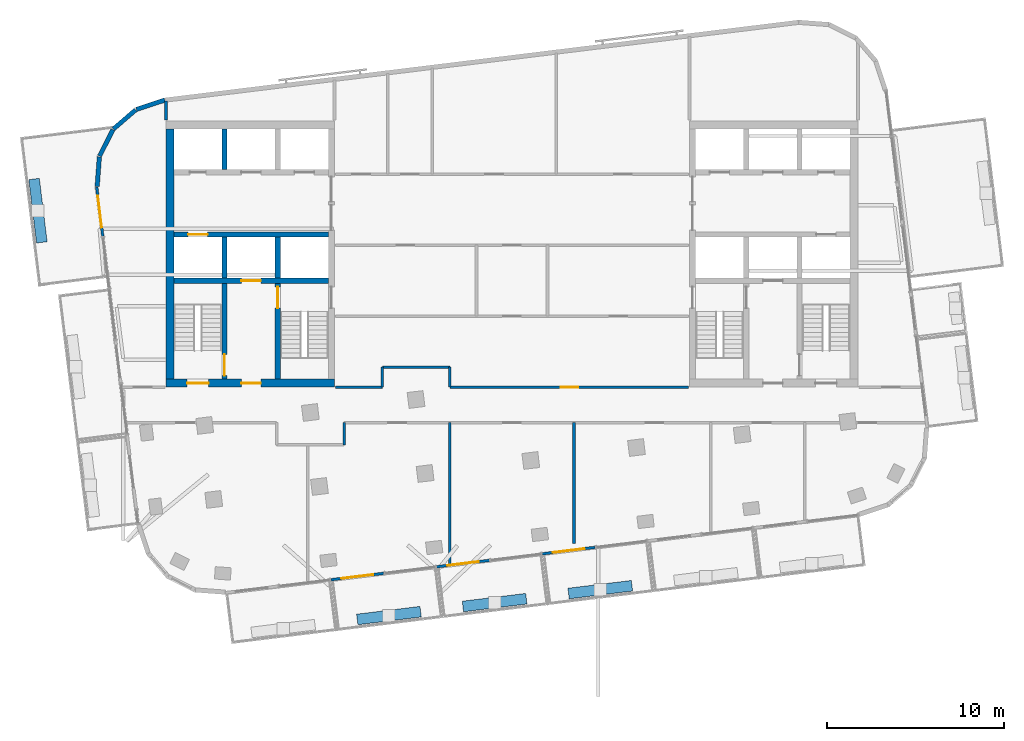
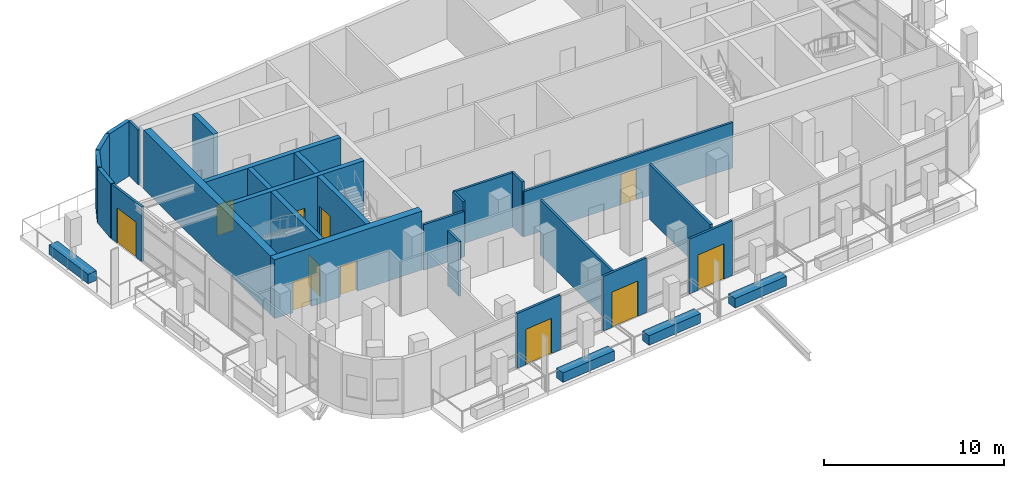
# One storey, part 6 of 13: 30 walls, 11 doors, 11 openings.
"""IFC4 building model written with IfcOpenShell, lengths in metres."""

from ifc_helpers import new_model, si_unit, direction, frame, frame_2d, origin, place, context, subcontext, project, spatial, rectangle, extrude, material, layer, layer_set, type_object, element, fill, save


model = new_model("IFC4")

# Units and contexts
model_context = context("Model", 3, precision=1e-05, world=origin(), true_north=direction((0.0, 1.0)))
body_context = subcontext(model_context, "Body", "Model", "MODEL_VIEW")
ifc_project = project(units=[si_unit("LENGTHUNIT", "METRE"), si_unit("AREAUNIT", "SQUARE_METRE"), si_unit("VOLUMEUNIT", "CUBIC_METRE"), si_unit("PLANEANGLEUNIT", "RADIAN"), si_unit("MASSUNIT", "GRAM", prefix="KILO")], contexts=[model_context])

# Site, building, storey
site_placement = place(None, origin())
site = spatial("IfcSite", under=ifc_project, at=site_placement, CompositionType="ELEMENT")
building_placement = place(site_placement, origin())
building = spatial("IfcBuilding", under=site, at=building_placement, Name="Torana Hotel and Residences", CompositionType="ELEMENT")
storey_placement = place(building_placement, frame((0.0, 0.0, 314.60009765625)))
storey = spatial("IfcBuildingStorey", under=building, at=storey_placement, Name="L83", CompositionType="ELEMENT", Elevation=314.60009765625)

# Wall, opening, door
ifc_material_1 = material(Name="Concrete C60/75", Category="concrete")
ifc_layer_1 = layer(ifc_material_1, 0.300048828125)
ifc_layer_set_1 = layer_set([ifc_layer_1], Name="CORE WALL 300 C60/75")
wall_type_1 = type_object("IfcWallType", Name="CORE WALL 300 C60/75", PredefinedType="SHEAR", material=ifc_layer_set_1)
wall_1_placement = place(storey_placement, frame((-19.050048828125, -6.39990234375, 0.0), z_axis=(0.0, 0.0, 1.0), x_axis=(1.0, 0.0, 0.0)))
wall_1 = element("IfcWall", 1, at=wall_1_placement, inside=storey, type_object=wall_type_1, Name="Core wall W row-S", PredefinedType="SHEAR", context=body_context, shape_type="SweptSolid", body=[
    extrude(rectangle(XDim=8.699951171875, YDim=0.300048828125, at=frame_2d((4.35009765625, 0.0))), origin(), (0.0, 0.0, 1.0), 4.0),
])
opening_1_placement = place(wall_1_placement, frame((0.800048828125, 0.0, 0.0)))
opening_1 = element("IfcOpeningElement", 2, at=opening_1_placement, cuts=wall_1, Name="Opening LD", PredefinedType="OPENING", context=body_context, shape_type="SweptSolid", body=[
    extrude(rectangle(XDim=1.10009765625, YDim=2.10009765625, at=frame_2d((0.550048828125, 1.050048828125))), frame((0.0, 0.159912109375, 0.0), z_axis=(0.0, -1.0, 0.0), x_axis=(1.0, 0.0, 0.0)), (0.0, 0.0, 1.0), 0.320068359375),
])
ifc_material_2 = material(Name="Stainless steel 316", Category="steel")
door_type_1 = type_object("IfcDoorType", Name="LIFT LANDING DOOR LD 1100x2100", OperationType="DOUBLE_DOOR_SLIDING", PredefinedType="USERDEFINED", material=ifc_material_2)
door_1_placement = place(opening_1_placement, origin())
door_1 = element("IfcDoor", 3, at=door_1_placement, inside=storey, type_object=door_type_1, Name="Lift landing door SV1 L83", ObjectType="LIFT LANDING DOOR", OperationType="DOUBLE_DOOR_SLIDING", OverallHeight=2.10009765625, OverallWidth=1.10009765625, PredefinedType="USERDEFINED", context=body_context, shape_type="SweptSolid", body=[
    extrude(rectangle(XDim=1.10009765625, YDim=2.10009765625, at=frame_2d((0.550048828125, 1.050048828125))), frame((0.0, 0.02490234375, 0.0), z_axis=(0.0, -1.0, 0.0), x_axis=(1.0, 0.0, 0.0)), (0.0, 0.0, 1.0), 0.050048828125),
])
fill(opening_1, door_1)

wall_2_placement = place(storey_placement, frame((-19.050048828125, -9.0, 0.0), z_axis=(0.0, 0.0, 1.0), x_axis=(1.0, 0.0, 0.0)))
wall_2 = element("IfcWall", 4, at=wall_2_placement, inside=storey, type_object=wall_type_1, Name="Core wall W band", PredefinedType="SHEAR", context=body_context, shape_type="SweptSolid", body=[
    extrude(rectangle(XDim=8.699951171875, YDim=0.300048828125, at=frame_2d((4.35009765625, 0.0))), origin(), (0.0, 0.0, 1.0), 4.0),
])
opening_2_placement = place(wall_2_placement, frame((3.800048828125, 0.0, 0.0)))
opening_2 = element("IfcOpeningElement", 5, at=opening_2_placement, cuts=wall_2, Name="Opening LD", PredefinedType="OPENING", context=body_context, shape_type="SweptSolid", body=[
    extrude(rectangle(XDim=1.10009765625, YDim=2.10009765625, at=frame_2d((0.550048828125, 1.050048828125))), frame((0.0, 0.159912109375, 0.0), z_axis=(0.0, -1.0, 0.0), x_axis=(1.0, 0.0, 0.0)), (0.0, 0.0, 1.0), 0.320068359375),
])
door_2_placement = place(opening_2_placement, origin())
door_2 = element("IfcDoor", 6, at=door_2_placement, inside=storey, type_object=door_type_1, Name="Lift landing door FF1 L83", ObjectType="LIFT LANDING DOOR", OperationType="DOUBLE_DOOR_SLIDING", OverallHeight=2.10009765625, OverallWidth=1.10009765625, PredefinedType="USERDEFINED", context=body_context, shape_type="SweptSolid", body=[
    extrude(rectangle(XDim=1.10009765625, YDim=2.10009765625, at=frame_2d((0.550048828125, 1.050048828125))), frame((0.0, 0.02490234375, 0.0), z_axis=(0.0, -1.0, 0.0), x_axis=(1.0, 0.0, 0.0)), (0.0, 0.0, 1.0), 0.050048828125),
])
fill(opening_2, door_2)

# Wall
wall_3_placement = place(storey_placement, frame((-13.199951171875, -8.85009765625, 0.0), z_axis=(0.0, 0.0, 1.0), x_axis=(0.0, 1.0, 0.0)))
element("IfcWall", 7, at=wall_3_placement, inside=storey, type_object=wall_type_1, Name="Core wall W x3.05-S", PredefinedType="SHEAR", context=body_context, shape_type="SweptSolid", body=[
    extrude(rectangle(XDim=2.300048828125, YDim=0.300048828125, at=frame_2d((1.14990234375, 0.0))), origin(), (0.0, 0.0, 1.0), 4.0),
])

# Wall, opening, door
wall_4_placement = place(storey_placement, frame((-13.199951171875, -14.550048828125, 0.0), z_axis=(0.0, 0.0, 1.0), x_axis=(0.0, 1.0, 0.0)))
wall_4 = element("IfcWall", 8, at=wall_4_placement, inside=storey, type_object=wall_type_1, Name="Core wall W x3.05-band", PredefinedType="SHEAR", context=body_context, shape_type="SweptSolid", body=[
    extrude(rectangle(XDim=5.400146484375, YDim=0.300048828125, at=frame_2d((2.7001953125, 0.0))), origin(), (0.0, 0.0, 1.0), 4.0),
])
opening_3_placement = place(wall_4_placement, frame((4.0, 0.0, 0.0)))
opening_3 = element("IfcOpeningElement", 9, at=opening_3_placement, cuts=wall_4, Name="Opening L83-07", PredefinedType="OPENING", context=body_context, shape_type="SweptSolid", body=[
    extrude(rectangle(XDim=1.199951171875, YDim=2.10009765625, at=frame_2d((0.60009765625, 1.050048828125))), frame((0.0, 0.159912109375, 0.0), z_axis=(0.0, -1.0, 0.0), x_axis=(1.0, 0.0, 0.0)), (0.0, 0.0, 1.0), 0.320068359375),
])
ifc_material_3 = material(Name="Steel S235", Category="steel")
door_type_2 = type_object("IfcDoorType", Name="STAIR FIRE DOOR D3 1200x2100", OperationType="SINGLE_SWING_LEFT", PredefinedType="DOOR", material=ifc_material_3)
door_3_placement = place(opening_3_placement, frame((0.60009765625, 0.0, 0.0), z_axis=(0.0, 0.0, 1.0), x_axis=(-1.0, 0.0, 0.0)))
door_3 = element("IfcDoor", 10, at=door_3_placement, inside=storey, type_object=door_type_2, Name="Stair-A-lobby door L83", OperationType="SINGLE_SWING_RIGHT", OverallHeight=2.10009765625, OverallWidth=1.199951171875, PredefinedType="DOOR", context=body_context, shape_type="SweptSolid", body=[
    extrude(rectangle(XDim=1.199951171875, YDim=2.10009765625, at=frame_2d((0.0, 1.050048828125))), frame((0.0, -0.02490234375, 0.0), z_axis=(0.0, 1.0, 0.0), x_axis=(-1.0, 0.0, 0.0)), (0.0, 0.0, 1.0), 0.050048828125),
])
fill(opening_3, door_3)

# Walls
for number, where, z_axis, x_axis, name in (
    (11, (-16.199951171875, -2.75, 0.0), (0.0, 0.0, 1.0), (0.0, 1.0, 0.0), "Core wall W x6.05-N"),
    (12, (-16.199951171875, -8.85009765625, 0.0), (0.0, 0.0, 1.0), (0.0, 1.0, 0.0), "Core wall W x6.05-S"),
):
    element("IfcWall", number, at=place(storey_placement, frame(where, z_axis=z_axis, x_axis=x_axis)), inside=storey, type_object=wall_type_1, Name=name, PredefinedType="SHEAR", context=body_context, shape_type="SweptSolid", body=[
        extrude(rectangle(XDim=2.300048828125, YDim=0.300048828125, at=frame_2d((1.14990234375, 0.0))), origin(), (0.0, 0.0, 1.0), 4.0),
    ])

# Wall, opening, door
wall_5_placement = place(storey_placement, frame((-16.199951171875, -14.550048828125, 0.0), z_axis=(0.0, 0.0, 1.0), x_axis=(0.0, 1.0, 0.0)))
wall_5 = element("IfcWall", 13, at=wall_5_placement, inside=storey, type_object=wall_type_1, Name="Core wall W x6.05-band", PredefinedType="SHEAR", context=body_context, shape_type="SweptSolid", body=[
    extrude(rectangle(XDim=5.400146484375, YDim=0.300048828125, at=frame_2d((2.7001953125, 0.0))), origin(), (0.0, 0.0, 1.0), 4.0),
])
opening_4_placement = place(wall_5_placement, frame((0.199951171875, 0.0, 0.0)))
opening_4 = element("IfcOpeningElement", 14, at=opening_4_placement, cuts=wall_5, Name="Opening L83-08", PredefinedType="OPENING", context=body_context, shape_type="SweptSolid", body=[
    extrude(rectangle(XDim=1.199951171875, YDim=2.10009765625, at=frame_2d((0.60009765625, 1.050048828125))), frame((0.0, 0.159912109375, 0.0), z_axis=(0.0, -1.0, 0.0), x_axis=(1.0, 0.0, 0.0)), (0.0, 0.0, 1.0), 0.320068359375),
])
door_4_placement = place(opening_4_placement, origin())
door_4 = element("IfcDoor", 15, at=door_4_placement, inside=storey, type_object=door_type_2, Name="Stair-B-lobby door L83", OperationType="SINGLE_SWING_RIGHT", OverallHeight=2.10009765625, OverallWidth=1.199951171875, PredefinedType="DOOR", context=body_context, shape_type="SweptSolid", body=[
    extrude(rectangle(XDim=1.199951171875, YDim=2.10009765625, at=frame_2d((0.60009765625, 1.050048828125))), frame((0.0, 0.02490234375, 0.0), z_axis=(0.0, -1.0, 0.0), x_axis=(1.0, 0.0, 0.0)), (0.0, 0.0, 1.0), 0.050048828125),
])
fill(opening_4, door_4)

# Wall, openings, doors
ifc_material_4 = material(Name="Concrete C60/75", Category="concrete")
ifc_layer_2 = layer(ifc_material_4, 0.449951171875)
ifc_layer_set_2 = layer_set([ifc_layer_2], Name="CORE WALL 450 C60/75")
wall_type_2 = type_object("IfcWallType", Name="CORE WALL 450 C60/75", PredefinedType="SHEAR", material=ifc_layer_set_2)
wall_6_placement = place(storey_placement, frame((-19.5, -14.77490234375, 0.0), z_axis=(0.0, 0.0, 1.0), x_axis=(1.0, 0.0, 0.0)))
wall_6 = element("IfcWall", 16, at=wall_6_placement, inside=storey, type_object=wall_type_2, Name="Core wall W front", PredefinedType="SHEAR", context=body_context, shape_type="SweptSolid", body=[
    extrude(rectangle(XDim=9.5, YDim=0.449951171875, at=frame_2d((4.75, 0.0))), origin(), (0.0, 0.0, 1.0), 4.0),
])
opening_5_placement = place(wall_6_placement, frame((1.199951171875, 0.0, 0.0)))
opening_5 = element("IfcOpeningElement", 17, at=opening_5_placement, cuts=wall_6, Name="Opening L83-04", PredefinedType="OPENING", context=body_context, shape_type="SweptSolid", body=[
    extrude(rectangle(XDim=1.199951171875, YDim=2.10009765625, at=frame_2d((0.60009765625, 1.050048828125))), frame((0.0, 0.23486328125, 0.0), z_axis=(0.0, -1.0, 0.0), x_axis=(1.0, 0.0, 0.0)), (0.0, 0.0, 1.0), 0.469970703125),
])
opening_6_placement = place(wall_6_placement, frame((4.25, 0.0, 0.0)))
opening_6 = element("IfcOpeningElement", 18, at=opening_6_placement, cuts=wall_6, Name="Opening L83-05", PredefinedType="OPENING", context=body_context, shape_type="SweptSolid", body=[
    extrude(rectangle(XDim=1.10009765625, YDim=2.10009765625, at=frame_2d((0.550048828125, 1.050048828125))), frame((0.0, 0.23486328125, 0.0), z_axis=(0.0, -1.0, 0.0), x_axis=(1.0, 0.0, 0.0)), (0.0, 0.0, 1.0), 0.469970703125),
])
ifc_material_5 = material(Name="Steel S235", Category="steel")
door_type_3 = type_object("IfcDoorType", Name="FIRE-FIGHTING LOBBY DOOR D8 1100x2100", OperationType="SINGLE_SWING_LEFT", PredefinedType="DOOR", material=ifc_material_5)
door_5_placement = place(opening_6_placement, origin())
door_5 = element("IfcDoor", 19, at=door_5_placement, inside=storey, type_object=door_type_3, Name="FF-lobby door L83", OperationType="SINGLE_SWING_RIGHT", OverallHeight=2.10009765625, OverallWidth=1.10009765625, PredefinedType="DOOR", context=body_context, shape_type="SweptSolid", body=[
    extrude(rectangle(XDim=1.10009765625, YDim=2.10009765625, at=frame_2d((0.550048828125, 1.050048828125))), frame((0.0, 0.02490234375, 0.0), z_axis=(0.0, -1.0, 0.0), x_axis=(1.0, 0.0, 0.0)), (0.0, 0.0, 1.0), 0.050048828125),
])
fill(opening_6, door_5)
door_6_placement = place(opening_5_placement, origin())
door_6 = element("IfcDoor", 20, at=door_6_placement, inside=storey, type_object=door_type_2, Name="Stair-B door L83", OperationType="SINGLE_SWING_RIGHT", OverallHeight=2.10009765625, OverallWidth=1.199951171875, PredefinedType="DOOR", context=body_context, shape_type="SweptSolid", body=[
    extrude(rectangle(XDim=1.199951171875, YDim=2.10009765625, at=frame_2d((0.60009765625, 1.050048828125))), frame((0.0, 0.02490234375, 0.0), z_axis=(0.0, -1.0, 0.0), x_axis=(1.0, 0.0, 0.0)), (0.0, 0.0, 1.0), 0.050048828125),
])
fill(opening_5, door_6)

# Walls
wall_7_placement = place(storey_placement, frame((-19.27490234375, -14.550048828125, 0.0), z_axis=(0.0, 0.0, 1.0), x_axis=(0.0, 1.0, 0.0)))
element("IfcWall", 21, at=wall_7_placement, inside=storey, type_object=wall_type_2, Name="Core wall W outer", PredefinedType="SHEAR", context=body_context, shape_type="SweptSolid", body=[
    extrude(rectangle(XDim=14.10009765625, YDim=0.449951171875, at=frame_2d((7.050048828125, 0.0))), origin(), (0.0, 0.0, 1.0), 4.0),
])
ifc_material_6 = material(Name="Black aluminium composite panel", Category="aluminium")
ifc_layer_3 = layer(ifc_material_6, 0.00390625, Name="Cladding", Category="cladding")
ifc_material_7 = material(Name="Ventilated air cavity")
ifc_layer_4 = layer(ifc_material_7, 0.0400390625, Name="Ventilated cavity", Category="cavity")
ifc_material_8 = material(Name="Mineral wool insulation")
ifc_layer_5 = layer(ifc_material_8, 0.090087890625, Name="Insulation", Category="insulation")
ifc_material_9 = material(Name="Steel S280GD", Category="steel")
ifc_layer_6 = layer(ifc_material_9, 0.092041015625, Name="Steel stud frame", Category="structure")
ifc_material_10 = material(Name="Fire rated plasterboard")
ifc_layer_7 = layer(ifc_material_10, 0.011962890625, Name="Inner board", Category="finish")
ifc_layer_8 = layer(ifc_material_10, 0.011962890625, Name="Second board", Category="finish")
ifc_layer_set_3 = layer_set([ifc_layer_3, ifc_layer_4, ifc_layer_5, ifc_layer_6, ifc_layer_7, ifc_layer_8], Name="EW1 EXTERNAL WALL BLACK METAL CLAD 250")
wall_type_3 = type_object("IfcWallType", Name="EW1 EXTERNAL WALL BLACK METAL CLAD 250", PredefinedType="SOLIDWALL", material=ifc_layer_set_3)
wall_8_placement = place(storey_placement, frame((-19.568359375, 1.1748046875, 0.0), z_axis=(0.0, 0.0, 1.0), x_axis=(-0.949694735798, -0.313177120489, 0.0)))
element("IfcWall", 22, at=wall_8_placement, inside=storey, type_object=wall_type_3, Name="External wall L83 e0.5", PredefinedType="SOLIDWALL", context=body_context, shape_type="SweptSolid", body=[
    extrude(rectangle(XDim=1.681396484375, YDim=0.25, at=frame_2d((0.8408203125, 0.0))), origin(), (0.0, 0.0, 1.0), 3.719970703125),
])
wall_9_placement = place(storey_placement, frame((-21.207763671875, 0.624267578125, 0.0), z_axis=(0.0, 0.0, 1.0), x_axis=(-0.757568315466, -0.652755886531, 0.0)))
element("IfcWall", 23, at=wall_9_placement, inside=storey, type_object=wall_type_3, Name="External wall L83 e0.6", PredefinedType="SOLIDWALL", context=body_context, shape_type="SweptSolid", body=[
    extrude(rectangle(XDim=1.65625, YDim=0.25, at=frame_2d((0.828125, 0.0))), origin(), (0.0, 0.0, 1.0), 3.719970703125),
])
wall_10_placement = place(storey_placement, frame((-22.49267578125, -0.495361328125, 0.0), z_axis=(0.0, 0.0, 1.0), x_axis=(-0.449982385812, -0.893037430604, 0.0)))
element("IfcWall", 24, at=wall_10_placement, inside=storey, type_object=wall_type_3, Name="External wall L83 e0.7", PredefinedType="SOLIDWALL", context=body_context, shape_type="SweptSolid", body=[
    extrude(rectangle(XDim=1.656494140625, YDim=0.25, at=frame_2d((0.828125, 0.0))), origin(), (0.0, 0.0, 1.0), 3.719970703125),
])
wall_11_placement = place(storey_placement, frame((-23.251220703125, -2.021484375, 0.0), z_axis=(0.0, 0.0, 1.0), x_axis=(-0.074053534713, -0.997254267475, 0.0)))
element("IfcWall", 25, at=wall_11_placement, inside=storey, type_object=wall_type_3, Name="External wall L83 e0.8", PredefinedType="SOLIDWALL", context=body_context, shape_type="SweptSolid", body=[
    extrude(rectangle(XDim=1.681396484375, YDim=0.25, at=frame_2d((0.8408203125, 0.0))), origin(), (0.0, 0.0, 1.0), 3.719970703125),
])
ifc_material_11 = material(Name="Gypsum plaster")
ifc_layer_9 = layer(ifc_material_11, 0.014892578125, Name="Plaster", Category="finish")
ifc_material_12 = material(Name="Concrete blockwork", Category="masonry")
ifc_layer_10 = layer(ifc_material_12, 0.1201171875, Name="Blockwork", Category="structure")
ifc_layer_11 = layer(ifc_material_11, 0.014892578125, Name="Plaster", Category="finish")
ifc_layer_set_4 = layer_set([ifc_layer_9, ifc_layer_10, ifc_layer_11], Name="FIRE PARTITION 150 BLOCKWORK")
wall_type_4 = type_object("IfcWallType", Name="FIRE PARTITION 150 BLOCKWORK", PredefinedType="PARTITIONING", material=ifc_layer_set_4)
for number, where, z_axis, x_axis, name in (
    (26, (-3.506103515625, -15.0, 0.0), (0.0, 0.0, 1.0), (0.0, 1.0, 0.0), "Partition L83"),
    (27, (-7.30810546875, -15.0, 0.0), (0.0, 0.0, 1.0), (0.0, 1.0, 0.0), "Partition L83"),
):
    element("IfcWall", number, at=place(storey_placement, frame(where, z_axis=z_axis, x_axis=x_axis)), inside=storey, type_object=wall_type_4, Name=name, PredefinedType="PARTITIONING", context=body_context, shape_type="SweptSolid", body=[
        extrude(rectangle(XDim=1.1279296875, YDim=0.14990234375, at=frame_2d((0.56396484375, 0.0))), origin(), (0.0, 0.0, 1.0), 3.719970703125),
    ])
wall_12_placement = place(storey_placement, frame((-9.4609375, -18.2548828125, 0.0), z_axis=(0.0, 0.0, 1.0), x_axis=(0.0, 1.0, 0.0)))
element("IfcWall", 28, at=wall_12_placement, inside=storey, type_object=wall_type_4, Name="Partition L83", PredefinedType="PARTITIONING", context=body_context, shape_type="SweptSolid", body=[
    extrude(rectangle(XDim=1.2548828125, YDim=0.14990234375, at=frame_2d((0.62744140625, 0.0))), origin(), (0.0, 0.0, 1.0), 3.719970703125),
])
wall_13_placement = place(storey_placement, frame((-9.949951171875, -15.0, 0.0), z_axis=(0.0, 0.0, 1.0), x_axis=(1.0, 0.0, 0.0)))
element("IfcWall", 29, at=wall_13_placement, inside=storey, type_object=wall_type_4, Name="Partition L83", PredefinedType="PARTITIONING", context=body_context, shape_type="SweptSolid", body=[
    extrude(rectangle(XDim=2.641845703125, YDim=0.14990234375, at=frame_2d((1.32080078125, 0.0))), origin(), (0.0, 0.0, 1.0), 3.083984375),
])

# Wall, opening, door
wall_14_placement = place(storey_placement, frame((-3.506103515625, -15.0, 0.0), z_axis=(0.0, 0.0, 1.0), x_axis=(1.0, 0.0, 0.0)))
wall_14 = element("IfcWall", 30, at=wall_14_placement, inside=storey, type_object=wall_type_4, Name="Partition L83", PredefinedType="PARTITIONING", context=body_context, shape_type="SweptSolid", body=[
    extrude(rectangle(XDim=13.4560546875, YDim=0.14990234375, at=frame_2d((6.72802734375, 0.0))), origin(), (0.0, 0.0, 1.0), 3.083984375),
])
opening_7_placement = place(wall_14_placement, frame((6.2529296875, 0.0, 0.0)))
opening_7 = element("IfcOpeningElement", 31, at=opening_7_placement, cuts=wall_14, Name="Opening L83-17", PredefinedType="OPENING", context=body_context, shape_type="SweptSolid", body=[
    extrude(rectangle(XDim=1.0, YDim=2.10009765625, at=frame_2d((0.5, 1.050048828125))), frame((0.0, 0.0849609375, 0.0), z_axis=(0.0, -1.0, 0.0), x_axis=(1.0, 0.0, 0.0)), (0.0, 0.0, 1.0), 0.169921875),
])
ifc_material_13 = material(Name="Steel S235", Category="steel")
door_type_4 = type_object("IfcDoorType", Name="ENTRY FIRE DOOR D6 1000x2100", OperationType="SINGLE_SWING_LEFT", PredefinedType="DOOR", material=ifc_material_13)
door_7_placement = place(opening_7_placement, origin())
door_7 = element("IfcDoor", 32, at=door_7_placement, inside=storey, type_object=door_type_4, Name="Door L83", OperationType="SINGLE_SWING_RIGHT", OverallHeight=2.10009765625, OverallWidth=1.0, PredefinedType="DOOR", context=body_context, shape_type="SweptSolid", body=[
    extrude(rectangle(XDim=1.0, YDim=2.10009765625, at=frame_2d((0.5, 1.050048828125))), frame((0.0, 0.02490234375, 0.0), z_axis=(0.0, -1.0, 0.0), x_axis=(1.0, 0.0, 0.0)), (0.0, 0.0, 1.0), 0.050048828125),
])
fill(opening_7, door_7)

# Wall
wall_15_placement = place(storey_placement, frame((-7.30810546875, -13.8720703125, 0.0), z_axis=(0.0, 0.0, 1.0), x_axis=(1.0, 0.0, 0.0)))
element("IfcWall", 33, at=wall_15_placement, inside=storey, type_object=wall_type_4, Name="Partition L83", PredefinedType="PARTITIONING", context=body_context, shape_type="SweptSolid", body=[
    extrude(rectangle(XDim=3.802001953125, YDim=0.14990234375, at=frame_2d((1.90087890625, 0.0))), origin(), (0.0, 0.0, 1.0), 3.719970703125),
])

# Wall, opening, door
ifc_material_14 = material(Name="Dark glass screen in aluminium frame", Category="aluminium")
ifc_layer_12 = layer(ifc_material_14, 0.14990234375)
ifc_layer_set_5 = layer_set([ifc_layer_12], Name="GS1 GLAZED DOOR SCREEN 150")
wall_type_5 = type_object("IfcWallType", Name="GS1 GLAZED DOOR SCREEN 150", PredefinedType="USERDEFINED", material=ifc_layer_set_5)
wall_16_placement = place(storey_placement, frame((-23.39990234375, -3.725830078125, 0.0), z_axis=(0.0, 0.0, 1.0), x_axis=(0.121830924856, -0.992550868091, 0.0)))
wall_16 = element("IfcWall", 34, at=wall_16_placement, inside=storey, type_object=wall_type_5, Name="Glazed door screen L83", ObjectType="GLAZED SCREEN", PredefinedType="USERDEFINED", context=body_context, shape_type="SweptSolid", body=[
    extrude(rectangle(XDim=2.79541015625, YDim=0.14990234375, at=frame_2d((1.397705078125, 0.0))), origin(), (0.0, 0.0, 1.0), 3.719970703125),
])
opening_8_placement = place(wall_16_placement, frame((0.497802734375, 0.0, 0.0)))
opening_8 = element("IfcOpeningElement", 35, at=opening_8_placement, cuts=wall_16, Name="Opening L83-E01", PredefinedType="OPENING", context=body_context, shape_type="SweptSolid", body=[
    extrude(rectangle(XDim=1.800048828125, YDim=2.39990234375, at=frame_2d((0.89990234375, 1.199951171875))), frame((0.0, 0.0849609375, 0.0), z_axis=(0.0, -1.0, 0.0), x_axis=(1.0, 0.0, 0.0)), (0.0, 0.0, 1.0), 0.169921875),
])
ifc_material_15 = material(Name="Dark glass in black aluminium frame", Category="aluminium")
door_type_5 = type_object("IfcDoorType", Name="DB1 BALCONY DOOR 1800x2400", OperationType="DOUBLE_DOOR_SINGLE_SWING", PredefinedType="DOOR", material=ifc_material_15)
door_8_placement = place(opening_8_placement, origin())
door_8 = element("IfcDoor", 36, at=door_8_placement, inside=storey, type_object=door_type_5, Name="Balcony door L83", OperationType="DOUBLE_DOOR_SINGLE_SWING", OverallHeight=2.39990234375, OverallWidth=1.800048828125, PredefinedType="DOOR", context=body_context, shape_type="SweptSolid", body=[
    extrude(rectangle(XDim=1.800048828125, YDim=2.39990234375, at=frame_2d((0.89990234375, 1.199951171875))), frame((0.0, 0.02490234375, 0.0), z_axis=(0.0, -1.0, 0.0), x_axis=(1.0, 0.0, 0.0)), (0.0, 0.0, 1.0), 0.050048828125),
])
fill(opening_8, door_8)

wall_17_placement = place(storey_placement, frame((-10.204345703125, -25.85791015625, 0.0), z_axis=(0.0, 0.0, 1.0), x_axis=(0.99255088108, 0.121830819037, 0.0)))
wall_17 = element("IfcWall", 37, at=wall_17_placement, inside=storey, type_object=wall_type_5, Name="Glazed door screen L83", ObjectType="GLAZED SCREEN", PredefinedType="USERDEFINED", context=body_context, shape_type="SweptSolid", body=[
    extrude(rectangle(XDim=3.0, YDim=0.14990234375, at=frame_2d((1.5, 0.0))), origin(), (0.0, 0.0, 1.0), 3.719970703125),
])
opening_9_placement = place(wall_17_placement, frame((0.60009765625, 0.0, 0.0)))
opening_9 = element("IfcOpeningElement", 38, at=opening_9_placement, cuts=wall_17, Name="Opening L83-E05", PredefinedType="OPENING", context=body_context, shape_type="SweptSolid", body=[
    extrude(rectangle(XDim=1.800048828125, YDim=2.39990234375, at=frame_2d((0.89990234375, 1.199951171875))), frame((0.0, 0.0849609375, 0.0), z_axis=(0.0, -1.0, 0.0), x_axis=(1.0, 0.0, 0.0)), (0.0, 0.0, 1.0), 0.169921875),
])
door_9_placement = place(opening_9_placement, origin())
door_9 = element("IfcDoor", 39, at=door_9_placement, inside=storey, type_object=door_type_5, Name="Balcony door L83", OperationType="DOUBLE_DOOR_SINGLE_SWING", OverallHeight=2.39990234375, OverallWidth=1.800048828125, PredefinedType="DOOR", context=body_context, shape_type="SweptSolid", body=[
    extrude(rectangle(XDim=1.800048828125, YDim=2.39990234375, at=frame_2d((0.89990234375, 1.199951171875))), frame((0.0, 0.02490234375, 0.0), z_axis=(0.0, -1.0, 0.0), x_axis=(1.0, 0.0, 0.0)), (0.0, 0.0, 1.0), 0.050048828125),
])
fill(opening_9, door_9)

wall_18_placement = place(storey_placement, frame((-4.2490234375, -25.126708984375, 0.0), z_axis=(0.0, 0.0, 1.0), x_axis=(0.99255088108, 0.121830819037, 0.0)))
wall_18 = element("IfcWall", 40, at=wall_18_placement, inside=storey, type_object=wall_type_5, Name="Glazed door screen L83", ObjectType="GLAZED SCREEN", PredefinedType="USERDEFINED", context=body_context, shape_type="SweptSolid", body=[
    extrude(rectangle(XDim=3.0, YDim=0.14990234375, at=frame_2d((1.5, 0.0))), origin(), (0.0, 0.0, 1.0), 3.719970703125),
])
opening_10_placement = place(wall_18_placement, frame((0.60009765625, 0.0, 0.0)))
opening_10 = element("IfcOpeningElement", 41, at=opening_10_placement, cuts=wall_18, Name="Opening L83-E06", PredefinedType="OPENING", context=body_context, shape_type="SweptSolid", body=[
    extrude(rectangle(XDim=1.800048828125, YDim=2.39990234375, at=frame_2d((0.89990234375, 1.199951171875))), frame((0.0, 0.0849609375, 0.0), z_axis=(0.0, -1.0, 0.0), x_axis=(1.0, 0.0, 0.0)), (0.0, 0.0, 1.0), 0.169921875),
])
door_10_placement = place(opening_10_placement, origin())
door_10 = element("IfcDoor", 42, at=door_10_placement, inside=storey, type_object=door_type_5, Name="Balcony door L83", OperationType="DOUBLE_DOOR_SINGLE_SWING", OverallHeight=2.39990234375, OverallWidth=1.800048828125, PredefinedType="DOOR", context=body_context, shape_type="SweptSolid", body=[
    extrude(rectangle(XDim=1.800048828125, YDim=2.39990234375, at=frame_2d((0.89990234375, 1.199951171875))), frame((0.0, 0.02490234375, 0.0), z_axis=(0.0, -1.0, 0.0), x_axis=(1.0, 0.0, 0.0)), (0.0, 0.0, 1.0), 0.050048828125),
])
fill(opening_10, door_10)

wall_19_placement = place(storey_placement, frame((1.706298828125, -24.3955078125, 0.0), z_axis=(0.0, 0.0, 1.0), x_axis=(0.99255088108, 0.121830819037, 0.0)))
wall_19 = element("IfcWall", 43, at=wall_19_placement, inside=storey, type_object=wall_type_5, Name="Glazed door screen L83", ObjectType="GLAZED SCREEN", PredefinedType="USERDEFINED", context=body_context, shape_type="SweptSolid", body=[
    extrude(rectangle(XDim=3.0, YDim=0.14990234375, at=frame_2d((1.5, 0.0))), origin(), (0.0, 0.0, 1.0), 3.719970703125),
])
opening_11_placement = place(wall_19_placement, frame((0.60009765625, 0.0, 0.0)))
opening_11 = element("IfcOpeningElement", 44, at=opening_11_placement, cuts=wall_19, Name="Opening L83-E07", PredefinedType="OPENING", context=body_context, shape_type="SweptSolid", body=[
    extrude(rectangle(XDim=1.800048828125, YDim=2.39990234375, at=frame_2d((0.89990234375, 1.199951171875))), frame((0.0, 0.0849609375, 0.0), z_axis=(0.0, -1.0, 0.0), x_axis=(1.0, 0.0, 0.0)), (0.0, 0.0, 1.0), 0.169921875),
])
door_11_placement = place(opening_11_placement, origin())
door_11 = element("IfcDoor", 45, at=door_11_placement, inside=storey, type_object=door_type_5, Name="Balcony door L83", OperationType="DOUBLE_DOOR_SINGLE_SWING", OverallHeight=2.39990234375, OverallWidth=1.800048828125, PredefinedType="DOOR", context=body_context, shape_type="SweptSolid", body=[
    extrude(rectangle(XDim=1.800048828125, YDim=2.39990234375, at=frame_2d((0.89990234375, 1.199951171875))), frame((0.0, 0.02490234375, 0.0), z_axis=(0.0, -1.0, 0.0), x_axis=(1.0, 0.0, 0.0)), (0.0, 0.0, 1.0), 0.050048828125),
])
fill(opening_11, door_11)

# Walls
ifc_material_16 = material(Name="Gypsum plasterboard")
ifc_layer_13 = layer(ifc_material_16, 0.012451171875, Name="Plasterboard", Category="finish")
ifc_layer_14 = layer(ifc_material_16, 0.012451171875, Name="Plasterboard", Category="finish")
ifc_layer_15 = layer(ifc_material_9, 0.10009765625, Name="Steel studs with mineral wool", Category="insulation")
ifc_layer_16 = layer(ifc_material_16, 0.012451171875, Name="Plasterboard", Category="finish")
ifc_layer_17 = layer(ifc_material_16, 0.012451171875, Name="Plasterboard", Category="finish")
ifc_layer_set_6 = layer_set([ifc_layer_13, ifc_layer_14, ifc_layer_15, ifc_layer_16, ifc_layer_17], Name="PARTITION 150 PLASTERBOARD")
wall_type_6 = type_object("IfcWallType", Name="PARTITION 150 PLASTERBOARD", PredefinedType="PARTITIONING", material=ifc_layer_set_6)
wall_20_placement = place(storey_placement, frame((3.498046875, -23.81298828125, 0.0), z_axis=(0.0, 0.0, 1.0), x_axis=(0.0, 1.0, 0.0)))
element("IfcWall", 46, at=wall_20_placement, inside=storey, type_object=wall_type_6, Name="Partition L83", PredefinedType="PARTITIONING", context=body_context, shape_type="SweptSolid", body=[
    extrude(rectangle(XDim=6.81298828125, YDim=0.14990234375, at=frame_2d((3.406494140625, 0.0))), origin(), (0.0, 0.0, 1.0), 3.719970703125),
])
wall_21_placement = place(storey_placement, frame((-3.501953125, -24.95458984375, 0.0), z_axis=(0.0, 0.0, 1.0), x_axis=(0.0, 1.0, 0.0)))
element("IfcWall", 47, at=wall_21_placement, inside=storey, type_object=wall_type_6, Name="Partition L83", PredefinedType="PARTITIONING", context=body_context, shape_type="SweptSolid", body=[
    extrude(rectangle(XDim=7.95458984375, YDim=0.14990234375, at=frame_2d((3.977294921875, 0.0))), origin(), (0.0, 0.0, 1.0), 3.719970703125),
])
wall_22_placement = place(storey_placement, frame((-19.5, 0.050048828125, 0.0), z_axis=(0.0, 0.0, 1.0), x_axis=(0.0, 1.0, 0.0)))
element("IfcWall", 48, at=wall_22_placement, inside=storey, type_object=wall_type_6, Name="Partition L83", PredefinedType="PARTITIONING", context=body_context, shape_type="SweptSolid", body=[
    extrude(rectangle(XDim=1.080322265625, YDim=0.14990234375, at=frame_2d((0.5400390625, 0.0))), origin(), (0.0, 0.0, 1.0), 3.719970703125),
])
ifc_material_17 = material(Name="Concrete C40/50 precast", Category="concrete")
ifc_layer_18 = layer(ifc_material_17, 0.10009765625, Name="Planter shell", Category="structure")
ifc_material_18 = material(Name="Root resistant membrane")
ifc_layer_19 = layer(ifc_material_18, 0.00390625, Name="Waterproofing membrane", Category="membrane")
ifc_material_19 = material(Name="Drainage board with filter fleece")
ifc_layer_20 = layer(ifc_material_19, 0.02001953125, Name="Drainage board", Category="drainage")
ifc_material_20 = material(Name="Growing medium")
ifc_layer_21 = layer(ifc_material_20, 0.47607421875, Name="Planting substrate", Category="soil")
ifc_layer_set_7 = layer_set([ifc_layer_18, ifc_layer_19, ifc_layer_20, ifc_layer_21], Name="PL1 BALCONY PLANTER 600")
wall_type_7 = type_object("IfcWallType", Name="PL1 BALCONY PLANTER 600", PredefinedType="USERDEFINED", material=ifc_layer_set_7)
for number, where, z_axis, x_axis, name in (
    (49, (-5.147705078125, -27.6552734375, 0.0), (0.0, 0.0, 1.0), (-0.992545758265, -0.121872547154, 0.0), "Planter 02"),
    (50, (0.8076171875, -26.924072265625, 0.0), (0.0, 0.0, 1.0), (-0.992545758265, -0.121872547154, 0.0), "Planter 03"),
):
    element("IfcWall", number, at=place(storey_placement, frame(where, z_axis=z_axis, x_axis=x_axis)), inside=storey, type_object=wall_type_7, Name=name, ObjectType="PLANTER", PredefinedType="USERDEFINED", context=body_context, shape_type="SweptSolid", body=[
        extrude(rectangle(XDim=3.599853515625, YDim=0.60009765625, at=frame_2d((1.7998046875, 0.0))), origin(), (0.0, 0.0, 1.0), 0.64990234375),
    ])
wall_23_placement = place(storey_placement, frame((6.762939453125, -26.19287109375, 0.0), z_axis=(0.0, 0.0, 1.0), x_axis=(-0.992546765488, -0.121864343918, 0.0)))
element("IfcWall", 51, at=wall_23_placement, inside=storey, type_object=wall_type_7, Name="Planter 04", ObjectType="PLANTER", PredefinedType="USERDEFINED", context=body_context, shape_type="SweptSolid", body=[
    extrude(rectangle(XDim=3.60009765625, YDim=0.60009765625, at=frame_2d((1.800048828125, 0.0))), origin(), (0.0, 0.0, 1.0), 0.64990234375),
])
wall_24_placement = place(storey_placement, frame((-26.492919921875, -6.8447265625, 0.0), z_axis=(0.0, 0.0, 1.0), x_axis=(-0.121872547154, 0.992545758265, 0.0)))
element("IfcWall", 52, at=wall_24_placement, inside=storey, type_object=wall_type_7, Name="Planter 09", ObjectType="PLANTER", PredefinedType="USERDEFINED", context=body_context, shape_type="SweptSolid", body=[
    extrude(rectangle(XDim=3.599853515625, YDim=0.60009765625, at=frame_2d((1.7998046875, 0.0))), origin(), (0.0, 0.0, 1.0), 0.64990234375),
])

save(model, "model.ifc")
